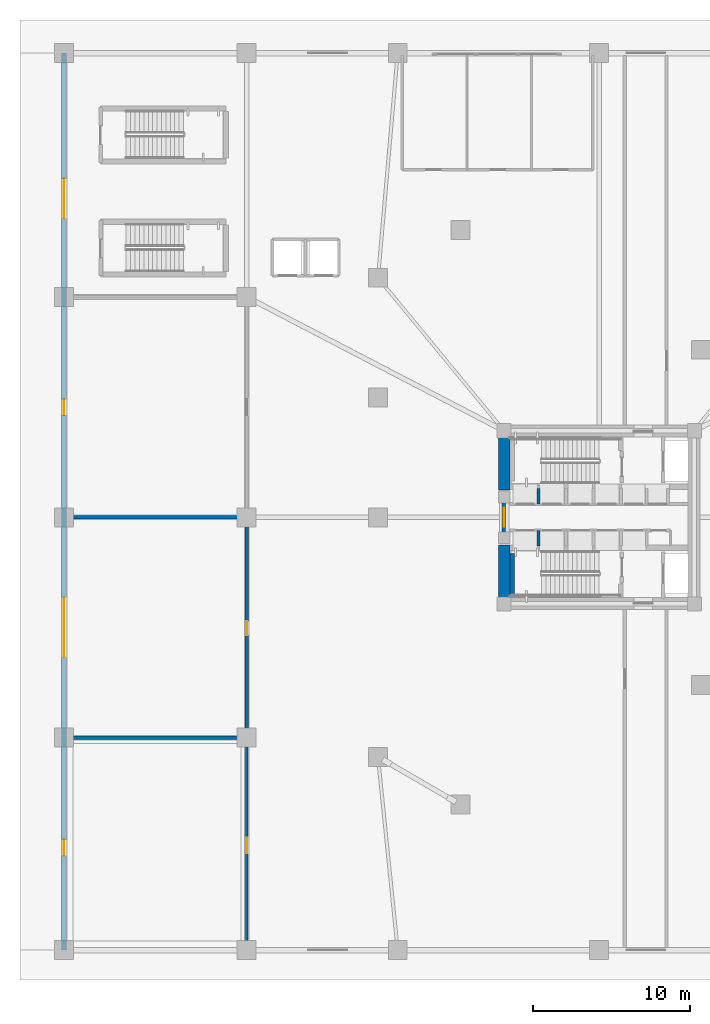
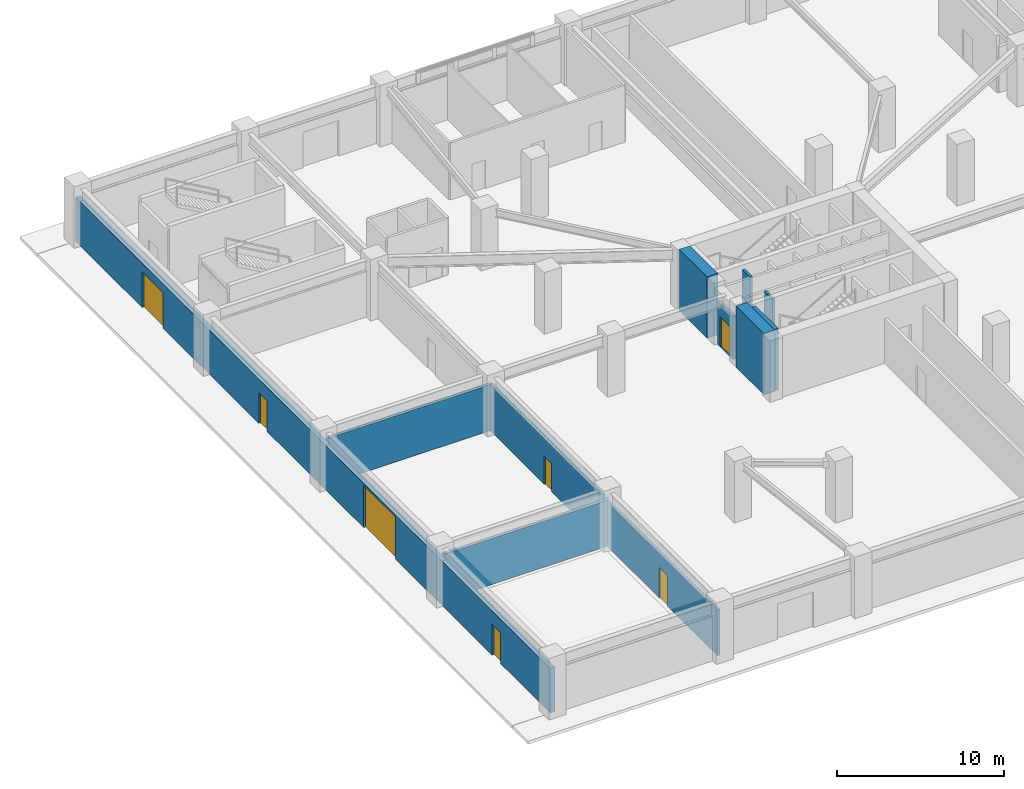
# One storey, part 4 of 18: 11 walls, 7 doors, 7 openings.
"""IFC4 building model written with IfcOpenShell, lengths in metres."""

from ifc_helpers import new_model, si_unit, direction, frame, frame_2d, origin, place, context, subcontext, project, spatial, rectangle, extrude, material, layer, layer_set, type_object, element, fill, save


model = new_model("IFC4")

# Units and contexts
model_context = context("Model", 3, precision=1e-05, world=origin(), true_north=direction((0.0, 1.0)))
body_context = subcontext(model_context, "Body", "Model", "MODEL_VIEW")
ifc_project = project(units=[si_unit("LENGTHUNIT", "METRE"), si_unit("AREAUNIT", "SQUARE_METRE"), si_unit("VOLUMEUNIT", "CUBIC_METRE"), si_unit("PLANEANGLEUNIT", "RADIAN"), si_unit("MASSUNIT", "GRAM", prefix="KILO")], contexts=[model_context])

# Site, building, storey
site_placement = place(None, origin())
site = spatial("IfcSite", under=ifc_project, at=site_placement, CompositionType="ELEMENT")
building_placement = place(site_placement, origin())
building = spatial("IfcBuilding", under=site, at=building_placement, Name="Yunling Apex Tower", CompositionType="ELEMENT")
storey_placement = place(building_placement, origin())
storey = spatial("IfcBuildingStorey", under=building, at=storey_placement, Name="L01", CompositionType="ELEMENT", Elevation=0.0)

# Walls
ifc_material_1 = material(Name="Concrete C60", Category="concrete")
ifc_layer_1 = layer(ifc_material_1, 0.75)
ifc_layer_set_1 = layer_set([ifc_layer_1], Name="Concrete C60")
wall_type_1 = type_object("IfcWallType", Name="WL-COR-1", PredefinedType="SHEAR", material=ifc_layer_set_1)
for number, where, z_axis, x_axis, name in (
    (1, (-6.02490234375, -5.10009765625, 0.0), (0.0, 0.0, 1.0), (0.0, 1.0, 0.0), "L01 West-South Core Shear Wall"),
    (2, (-6.02490234375, 1.75, 0.0), (0.0, 0.0, 1.0), (0.0, 1.0, 0.0), "L01 West-North Core Shear Wall"),
):
    element("IfcWall", number, at=place(storey_placement, frame(where, z_axis=z_axis, x_axis=x_axis)), inside=storey, type_object=wall_type_1, Name=name, PredefinedType="SHEAR", context=body_context, shape_type="SweptSolid", body=[
        extrude(rectangle(XDim=3.35009765625, YDim=0.75, at=frame_2d((1.675048828125, 0.0))), origin(), (0.0, 0.0, 1.0), 4.5),
    ])
ifc_material_2 = material(Name="Concrete C40", Category="concrete")
ifc_layer_2 = layer(ifc_material_2, 0.280029296875)
ifc_layer_set_2 = layer_set([ifc_layer_2], Name="Concrete C40")
wall_type_2 = type_object("IfcWallType", Name="WL-COR-8", PredefinedType="SHEAR", material=ifc_layer_set_2)
wall_1_placement = place(storey_placement, frame((-5.52001953125, -5.050048828125, 0.0), z_axis=(0.0, 0.0, 1.0), x_axis=(0.0, 1.0, 0.0)))
element("IfcWall", 3, at=wall_1_placement, inside=storey, type_object=wall_type_2, Name="L01 ST-2 West Landing Bearing Wall", PredefinedType="SHEAR", context=body_context, shape_type="SweptSolid", body=[
    extrude(rectangle(XDim=2.75, YDim=0.280029296875, at=frame_2d((1.375, 0.0))), origin(), (0.0, 0.0, 1.0), 4.5),
])

# Wall, openings, doors
ifc_material_3 = material(Name="Precast concrete C40", Category="concrete")
ifc_layer_3 = layer(ifc_material_3, 0.320068359375)
ifc_layer_set_3 = layer_set([ifc_layer_3], Name="Precast concrete C40")
wall_type_3 = type_object("IfcWallType", Name="WL-EXT-1", PredefinedType="SOLIDWALL", material=ifc_layer_set_3)
wall_2_placement = place(storey_placement, frame((-34.0, -27.5, 0.0), z_axis=(0.0, 0.0, 1.0), x_axis=(0.0, 1.0, 0.0)))
wall_2 = element("IfcWall", 4, at=wall_2_placement, inside=storey, type_object=wall_type_3, Name="WL-POD-L01-W", PredefinedType="SOLIDWALL", context=body_context, shape_type="SweptSolid", body=[
    extrude(rectangle(XDim=57.0, YDim=0.320068359375, at=frame_2d((28.5, 0.0))), origin(), (0.0, 0.0, 1.0), 3.25),
])
opening_1_placement = place(wall_2_placement, frame((6.0, 0.0, 0.0)))
opening_1 = element("IfcOpeningElement", 5, at=opening_1_placement, cuts=wall_2, Name="Opening DR-OFF-1", PredefinedType="OPENING", context=body_context, shape_type="SweptSolid", body=[
    extrude(rectangle(XDim=1.0, YDim=2.25, at=frame_2d((0.5, 1.125))), frame((0.0, 0.169921875, 0.0), z_axis=(0.0, -1.0, 0.0), x_axis=(1.0, 0.0, 0.0)), (0.0, 0.0, 1.0), 0.340087890625),
])
opening_2_placement = place(wall_2_placement, frame((18.60009765625, 0.0, 0.0)))
opening_2 = element("IfcOpeningElement", 6, at=opening_2_placement, cuts=wall_2, Name="Opening LD-DOCK", PredefinedType="OPENING", context=body_context, shape_type="SweptSolid", body=[
    extrude(rectangle(XDim=3.800048828125, YDim=3.10009765625, at=frame_2d((1.89990234375, 1.550048828125))), frame((0.0, 0.169921875, 0.0), z_axis=(0.0, -1.0, 0.0), x_axis=(1.0, 0.0, 0.0)), (0.0, 0.0, 1.0), 0.340087890625),
])
opening_3_placement = place(wall_2_placement, frame((34.0, 0.0, 0.0)))
opening_3 = element("IfcOpeningElement", 7, at=opening_3_placement, cuts=wall_2, Name="Opening DR-OFF-1", PredefinedType="OPENING", context=body_context, shape_type="SweptSolid", body=[
    extrude(rectangle(XDim=1.0, YDim=2.25, at=frame_2d((0.5, 1.125))), frame((0.0, 0.169921875, 0.0), z_axis=(0.0, -1.0, 0.0), x_axis=(1.0, 0.0, 0.0)), (0.0, 0.0, 1.0), 0.340087890625),
])
opening_4_placement = place(wall_2_placement, frame((46.5, 0.0, 0.0)))
opening_4 = element("IfcOpeningElement", 8, at=opening_4_placement, cuts=wall_2, Name="Opening DR-EX-1", PredefinedType="OPENING", context=body_context, shape_type="SweptSolid", body=[
    extrude(rectangle(XDim=2.5, YDim=2.60009765625, at=frame_2d((1.25, 1.300048828125))), frame((0.0, 0.169921875, 0.0), z_axis=(0.0, -1.0, 0.0), x_axis=(1.0, 0.0, 0.0)), (0.0, 0.0, 1.0), 0.340087890625),
])
ifc_material_4 = material(Name="Bronze anodised aluminium", Category="aluminium")
door_type_1 = type_object("IfcDoorType", Name="DR-EX-1", OperationType="NOTDEFINED", PredefinedType="DOOR", material=ifc_material_4)
door_1_placement = place(opening_4_placement, origin())
door_1 = element("IfcDoor", 9, at=door_1_placement, inside=storey, type_object=door_type_1, Name="EX-05 West Concourse Exit Door", OperationType="DOUBLE_DOOR_SINGLE_SWING", OverallHeight=2.60009765625, OverallWidth=2.5, PredefinedType="DOOR", context=body_context, shape_type="SweptSolid", body=[
    extrude(rectangle(XDim=2.5, YDim=2.60009765625, at=frame_2d((1.25, 1.300048828125))), frame((0.0, 0.02490234375, 0.0), z_axis=(0.0, -1.0, 0.0), x_axis=(1.0, 0.0, 0.0)), (0.0, 0.0, 1.0), 0.050048828125),
])
fill(opening_4, door_1)
door_type_2 = type_object("IfcDoorType", Name="DR-OFF-1", OperationType="NOTDEFINED", PredefinedType="DOOR", material=ifc_material_4)
door_2_placement = place(opening_1_placement, origin())
door_2 = element("IfcDoor", 10, at=door_2_placement, inside=storey, type_object=door_type_2, Name="L01 South-West Retail Street Entrance", OperationType="SINGLE_SWING_LEFT", OverallHeight=2.25, OverallWidth=1.0, PredefinedType="DOOR", context=body_context, shape_type="SweptSolid", body=[
    extrude(rectangle(XDim=1.0, YDim=2.25, at=frame_2d((0.5, 1.125))), frame((0.0, 0.02490234375, 0.0), z_axis=(0.0, -1.0, 0.0), x_axis=(1.0, 0.0, 0.0)), (0.0, 0.0, 1.0), 0.050048828125),
])
fill(opening_1, door_2)
door_3_placement = place(opening_3_placement, origin())
door_3 = element("IfcDoor", 11, at=door_3_placement, inside=storey, type_object=door_type_2, Name="L01 West Retail Street Entrance", OperationType="SINGLE_SWING_RIGHT", OverallHeight=2.25, OverallWidth=1.0, PredefinedType="DOOR", context=body_context, shape_type="SweptSolid", body=[
    extrude(rectangle(XDim=1.0, YDim=2.25, at=frame_2d((0.5, 1.125))), frame((0.0, 0.02490234375, 0.0), z_axis=(0.0, -1.0, 0.0), x_axis=(1.0, 0.0, 0.0)), (0.0, 0.0, 1.0), 0.050048828125),
])
fill(opening_3, door_3)
ifc_material_5 = material(Name="Steel Q355B", Category="steel")
door_type_3 = type_object("IfcDoorType", Name="LD-DOCK", OperationType="ROLLINGUP", PredefinedType="GATE", material=ifc_material_5)
door_4_placement = place(opening_2_placement, origin())
door_4 = element("IfcDoor", 12, at=door_4_placement, inside=storey, type_object=door_type_3, Name="LD-DOCK Service Shutter", OperationType="ROLLINGUP", OverallHeight=3.10009765625, OverallWidth=3.800048828125, PredefinedType="GATE", context=body_context, shape_type="SweptSolid", body=[
    extrude(rectangle(XDim=3.800048828125, YDim=3.10009765625, at=frame_2d((1.89990234375, 1.550048828125))), frame((0.0, 0.02490234375, 0.0), z_axis=(0.0, -1.0, 0.0), x_axis=(1.0, 0.0, 0.0)), (0.0, 0.0, 1.0), 0.050048828125),
])
fill(opening_2, door_4)

# Wall, opening, door
ifc_material_6 = material(Name="Gypsum board acoustic partition")
ifc_layer_4 = layer(ifc_material_6, 0.159912109375)
ifc_layer_set_4 = layer_set([ifc_layer_4], Name="Gypsum board acoustic partition")
wall_type_4 = type_object("IfcWallType", Name="WL-PRT-1", PredefinedType="PARTITIONING", material=ifc_layer_set_4)
wall_3_placement = place(storey_placement, frame((-22.39990234375, -27.35009765625, 0.0), z_axis=(0.0, 0.0, 1.0), x_axis=(0.0, 1.0, 0.0)))
wall_3 = element("IfcWall", 13, at=wall_3_placement, inside=storey, type_object=wall_type_4, Name="WL-L01-RET2E", PredefinedType="PARTITIONING", context=body_context, shape_type="SweptSolid", body=[
    extrude(rectangle(XDim=13.35009765625, YDim=0.159912109375, at=frame_2d((6.675048828125, 0.0))), origin(), (0.0, 0.0, 1.0), 3.375),
])
opening_5_placement = place(wall_3_placement, frame((6.0, 0.0, 0.0)))
opening_5 = element("IfcOpeningElement", 14, at=opening_5_placement, cuts=wall_3, Name="Opening DR-OFF-1", PredefinedType="OPENING", context=body_context, shape_type="SweptSolid", body=[
    extrude(rectangle(XDim=1.0, YDim=2.25, at=frame_2d((0.5, 1.125))), frame((0.0, 0.08984375, 0.0), z_axis=(0.0, -1.0, 0.0), x_axis=(1.0, 0.0, 0.0)), (0.0, 0.0, 1.0), 0.179931640625),
])
door_5_placement = place(opening_5_placement, origin())
door_5 = element("IfcDoor", 15, at=door_5_placement, inside=storey, type_object=door_type_2, Name="L01 South-West Retail Door", OperationType="SINGLE_SWING_RIGHT", OverallHeight=2.25, OverallWidth=1.0, PredefinedType="DOOR", context=body_context, shape_type="SweptSolid", body=[
    extrude(rectangle(XDim=1.0, YDim=2.25, at=frame_2d((0.5, 1.125))), frame((0.0, 0.02490234375, 0.0), z_axis=(0.0, -1.0, 0.0), x_axis=(1.0, 0.0, 0.0)), (0.0, 0.0, 1.0), 0.050048828125),
])
fill(opening_5, door_5)

ifc_material_7 = material(Name="Autoclaved aerated concrete masonry", Category="masonry")
ifc_layer_5 = layer(ifc_material_7, 0.219970703125)
ifc_layer_set_5 = layer_set([ifc_layer_5], Name="Autoclaved aerated concrete masonry")
wall_type_5 = type_object("IfcWallType", Name="WL-SHF-1", PredefinedType="PLUMBINGWALL", material=ifc_layer_set_5)
wall_4_placement = place(storey_placement, frame((-6.050048828125, -0.949951171875, 0.0), z_axis=(0.0, 0.0, 1.0), x_axis=(0.0, 1.0, 0.0)))
wall_4 = element("IfcWall", 16, at=wall_4_placement, inside=storey, type_object=wall_type_5, Name="WL-COR-WPORT-L01", PredefinedType="PLUMBINGWALL", context=body_context, shape_type="SweptSolid", body=[
    extrude(rectangle(XDim=1.89990234375, YDim=0.219970703125, at=frame_2d((0.949951171875, 0.0))), origin(), (0.0, 0.0, 1.0), 3.14990234375),
])
opening_6_placement = place(wall_4_placement, frame((0.35009765625, 0.0, 0.0)))
opening_6 = element("IfcOpeningElement", 17, at=opening_6_placement, cuts=wall_4, Name="Opening DR-FFL-1", PredefinedType="OPENING", context=body_context, shape_type="SweptSolid", body=[
    extrude(rectangle(XDim=1.199951171875, YDim=2.199951171875, at=frame_2d((0.60009765625, 1.10009765625))), frame((0.0, 0.1201171875, 0.0), z_axis=(0.0, -1.0, 0.0), x_axis=(1.0, 0.0, 0.0)), (0.0, 0.0, 1.0), 0.239990234375),
])
door_type_4 = type_object("IfcDoorType", Name="DR-FFL-1", OperationType="NOTDEFINED", PredefinedType="DOOR", material=ifc_material_5)
door_6_placement = place(opening_6_placement, origin())
door_6 = element("IfcDoor", 18, at=door_6_placement, inside=storey, type_object=door_type_4, Name="L01 Passenger Lift Lobby Entrance Door", OperationType="SINGLE_SWING_LEFT", OverallHeight=2.199951171875, OverallWidth=1.199951171875, PredefinedType="DOOR", context=body_context, shape_type="SweptSolid", body=[
    extrude(rectangle(XDim=1.199951171875, YDim=2.199951171875, at=frame_2d((0.60009765625, 1.10009765625))), frame((0.0, 0.02490234375, 0.0), z_axis=(0.0, -1.0, 0.0), x_axis=(1.0, 0.0, 0.0)), (0.0, 0.0, 1.0), 0.050048828125),
])
fill(opening_6, door_6)

wall_5_placement = place(storey_placement, frame((-22.39990234375, -14.0, 0.0), z_axis=(0.0, 0.0, 1.0), x_axis=(0.0, 1.0, 0.0)))
wall_5 = element("IfcWall", 19, at=wall_5_placement, inside=storey, type_object=wall_type_5, Name="WL-DCK-E", PredefinedType="PLUMBINGWALL", context=body_context, shape_type="SweptSolid", body=[
    extrude(rectangle(XDim=14.0, YDim=0.219970703125, at=frame_2d((7.0, 0.0))), origin(), (0.0, 0.0, 1.0), 3.375),
])
opening_7_placement = place(wall_5_placement, frame((6.5, 0.0, 0.0)))
opening_7 = element("IfcOpeningElement", 20, at=opening_7_placement, cuts=wall_5, Name="Opening DR-SHF-1", PredefinedType="OPENING", context=body_context, shape_type="SweptSolid", body=[
    extrude(rectangle(XDim=0.89990234375, YDim=2.050048828125, at=frame_2d((0.449951171875, 1.02490234375))), frame((0.0, 0.1201171875, 0.0), z_axis=(0.0, -1.0, 0.0), x_axis=(1.0, 0.0, 0.0)), (0.0, 0.0, 1.0), 0.239990234375),
])
door_type_5 = type_object("IfcDoorType", Name="DR-SHF-1", OperationType="NOTDEFINED", PredefinedType="DOOR", material=ifc_material_5)
door_7_placement = place(opening_7_placement, origin())
door_7 = element("IfcDoor", 21, at=door_7_placement, inside=storey, type_object=door_type_5, Name="L01 Loading Bay Door", OperationType="SINGLE_SWING_RIGHT", OverallHeight=2.050048828125, OverallWidth=0.89990234375, PredefinedType="DOOR", context=body_context, shape_type="SweptSolid", body=[
    extrude(rectangle(XDim=0.89990234375, YDim=2.050048828125, at=frame_2d((0.449951171875, 1.02490234375))), frame((0.0, 0.02490234375, 0.0), z_axis=(0.0, -1.0, 0.0), x_axis=(1.0, 0.0, 0.0)), (0.0, 0.0, 1.0), 0.050048828125),
])
fill(opening_7, door_7)

# Walls
for number, where, z_axis, x_axis, name in (
    (22, (-33.800048828125, 0.0, 0.0), (0.0, 0.0, 1.0), (1.0, 0.0, 0.0), "WL-DCK-N"),
    (23, (-33.800048828125, -14.0, 0.0), (0.0, 0.0, 1.0), (1.0, 0.0, 0.0), "WL-DCK-S"),
):
    element("IfcWall", number, at=place(storey_placement, frame(where, z_axis=z_axis, x_axis=x_axis)), inside=storey, type_object=wall_type_5, Name=name, PredefinedType="PLUMBINGWALL", context=body_context, shape_type="SweptSolid", body=[
        extrude(rectangle(XDim=11.400146484375, YDim=0.219970703125, at=frame_2d((5.7001953125, 0.0))), origin(), (0.0, 0.0, 1.0), 3.375),
    ])
ifc_layer_6 = layer(ifc_material_7, 0.179931640625)
ifc_layer_set_6 = layer_set([ifc_layer_6], Name="Autoclaved aerated concrete masonry")
wall_type_6 = type_object("IfcWallType", Name="WL-SHF-2", PredefinedType="PLUMBINGWALL", material=ifc_layer_set_6)
for number, where, z_axis, x_axis, name in (
    (24, (-3.85009765625, 0.840087890625, 0.0), (0.0, 0.0, 1.0), (0.0, 1.0, 0.0), "WL-DIV-L12-L01"),
    (25, (-3.85009765625, -1.820068359375, 0.0), (0.0, 0.0, 1.0), (0.0, 1.0, 0.0), "WL-DIV-L34-L01"),
):
    element("IfcWall", number, at=place(storey_placement, frame(where, z_axis=z_axis, x_axis=x_axis)), inside=storey, type_object=wall_type_6, Name=name, PredefinedType="PLUMBINGWALL", context=body_context, shape_type="SweptSolid", body=[
        extrude(rectangle(XDim=0.97998046875, YDim=0.179931640625, at=frame_2d((0.489990234375, 0.0))), origin(), (0.0, 0.0, 1.0), 4.169921875),
    ])

save(model, "model.ifc")
